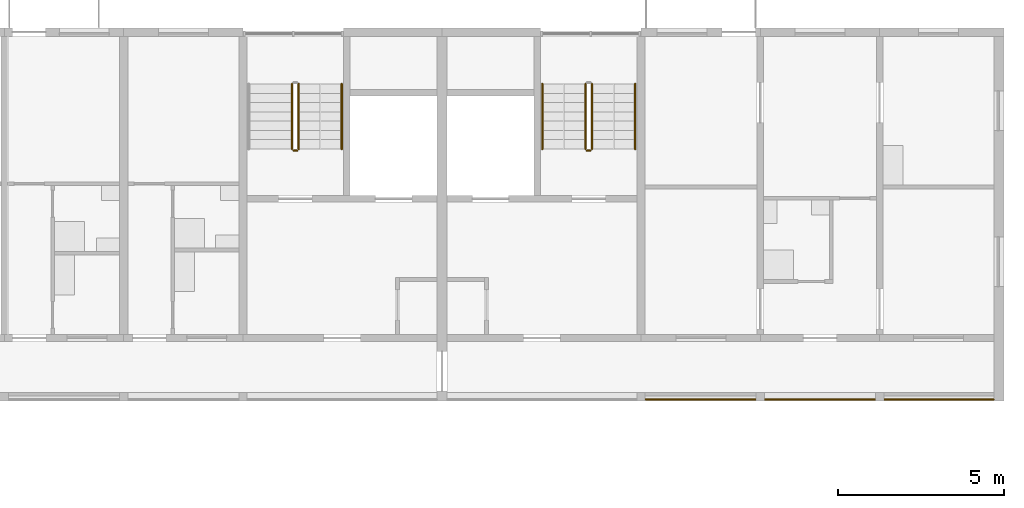
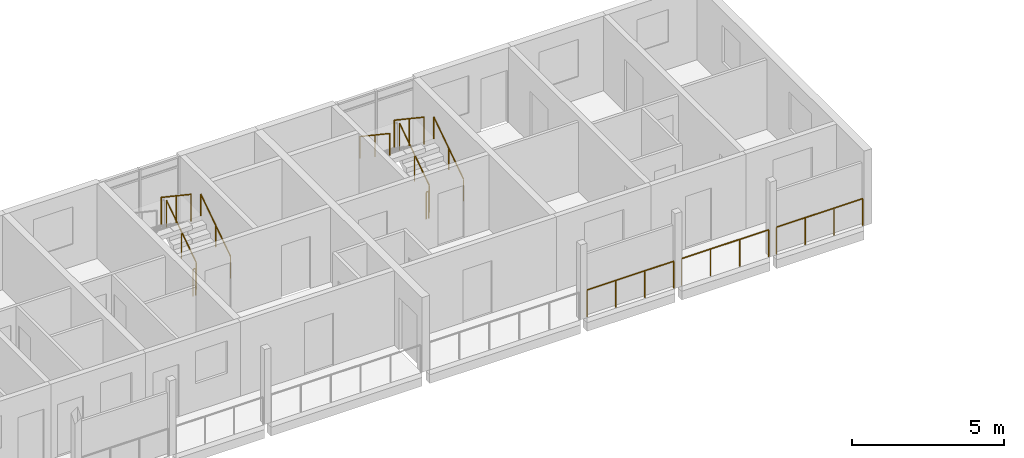
# One storey, part 94 of 100: 12 railings.
"""IFC4 building model written with IfcOpenShell, lengths in metres."""

from ifc_helpers import new_model, si_unit, direction, frame, origin, origin_2d, place, context, subcontext, project, spatial, circle, extrude, material, type_object, element, save


model = new_model("IFC4")

# Units and contexts
model_context = context("Model", 3, precision=1e-05, world=origin(), true_north=direction((0.0, 1.0)))
body_context = subcontext(model_context, "Body", "Model", "MODEL_VIEW")
ifc_project = project(units=[si_unit("LENGTHUNIT", "METRE"), si_unit("AREAUNIT", "SQUARE_METRE"), si_unit("VOLUMEUNIT", "CUBIC_METRE"), si_unit("PLANEANGLEUNIT", "RADIAN"), si_unit("MASSUNIT", "GRAM", prefix="KILO")], contexts=[model_context])

# Site, building, storey
site_placement = place(None, origin())
site = spatial("IfcSite", under=ifc_project, at=site_placement, CompositionType="ELEMENT")
building_placement = place(site_placement, origin())
building = spatial("IfcBuilding", under=site, at=building_placement, Name="Ridgestep Commons", CompositionType="ELEMENT")
storey_placement = place(building_placement, frame((0.0, 0.0, 9.0)))
storey = spatial("IfcBuildingStorey", under=building, at=storey_placement, Name="L03", CompositionType="ELEMENT", Elevation=9.0)

# Railings
ifc_material_1 = material(Name="Structural steel S355JR", Category="steel")
railing_type_1 = type_object("IfcRailingType", Name="Guard 1100", PredefinedType="GUARDRAIL", material=ifc_material_1)
railing_1_placement = place(storey_placement, frame((236.946044921875, 66.050048828125, 0.0)))
element("IfcRailing", 1, at=railing_1_placement, inside=storey, type_object=railing_type_1, Name="Gallery guard C 03.22", PredefinedType="GUARDRAIL", context=body_context, shape_type="SweptSolid", body=[
    extrude(circle(Radius=0.02392578125, at=origin_2d()), frame((0.0, 0.0, 1.076171875), z_axis=(1.0, 0.0, 0.0), x_axis=(0.0, 1.0, 0.0)), (0.0, 0.0, 1.0), 3.307861328125),
    extrude(circle(Radius=0.02099609375, at=origin_2d()), origin(), (0.0, 0.0, 1.0), 1.052001953125),
    extrude(circle(Radius=0.02099609375, at=origin_2d()), frame((1.1025390625, 0.0, 0.0)), (0.0, 0.0, 1.0), 1.052001953125),
    extrude(circle(Radius=0.02099609375, at=origin_2d()), frame((2.205322265625, 0.0, 0.0)), (0.0, 0.0, 1.0), 1.052001953125),
    extrude(circle(Radius=0.02099609375, at=origin_2d()), frame((3.307861328125, 0.0, 0.0)), (0.0, 0.0, 1.0), 1.052001953125),
])
railing_2_placement = place(storey_placement, frame((240.5458984375, 66.050048828125, 0.0)))
element("IfcRailing", 2, at=railing_2_placement, inside=storey, type_object=railing_type_1, Name="Gallery guard C 03.23", PredefinedType="GUARDRAIL", context=body_context, shape_type="SweptSolid", body=[
    extrude(circle(Radius=0.02392578125, at=origin_2d()), frame((0.0, 0.0, 1.076171875), z_axis=(1.0, 0.0, 0.0), x_axis=(0.0, 1.0, 0.0)), (0.0, 0.0, 1.0), 3.30810546875),
    extrude(circle(Radius=0.02099609375, at=origin_2d()), origin(), (0.0, 0.0, 1.0), 1.052001953125),
    extrude(circle(Radius=0.02099609375, at=origin_2d()), frame((1.102783203125, 0.0, 0.0)), (0.0, 0.0, 1.0), 1.052001953125),
    extrude(circle(Radius=0.02099609375, at=origin_2d()), frame((2.205322265625, 0.0, 0.0)), (0.0, 0.0, 1.0), 1.052001953125),
    extrude(circle(Radius=0.02099609375, at=origin_2d()), frame((3.30810546875, 0.0, 0.0)), (0.0, 0.0, 1.0), 1.052001953125),
])
railing_3_placement = place(storey_placement, frame((244.14599609375, 66.050048828125, 0.0)))
element("IfcRailing", 3, at=railing_3_placement, inside=storey, type_object=railing_type_1, Name="Gallery guard C 03.24", PredefinedType="GUARDRAIL", context=body_context, shape_type="SweptSolid", body=[
    extrude(circle(Radius=0.02392578125, at=origin_2d()), frame((0.0, 0.0, 1.076171875), z_axis=(1.0, 0.0, 0.0), x_axis=(0.0, 1.0, 0.0)), (0.0, 0.0, 1.0), 3.282958984375),
    extrude(circle(Radius=0.02099609375, at=origin_2d()), origin(), (0.0, 0.0, 1.0), 1.052001953125),
    extrude(circle(Radius=0.02099609375, at=origin_2d()), frame((1.09423828125, 0.0, 0.0)), (0.0, 0.0, 1.0), 1.052001953125),
    extrude(circle(Radius=0.02099609375, at=origin_2d()), frame((2.188720703125, 0.0, 0.0)), (0.0, 0.0, 1.0), 1.052001953125),
    extrude(circle(Radius=0.02099609375, at=origin_2d()), frame((3.282958984375, 0.0, 0.0)), (0.0, 0.0, 1.0), 1.052001953125),
])
ifc_material_2 = material(Name="Structural steel S355JR", Category="steel")
railing_type_2 = type_object("IfcRailingType", Name="Stair guard 1100", PredefinedType="GUARDRAIL", material=ifc_material_2)
railing_4_placement = place(storey_placement, frame((226.47509765625, 73.60009765625, 0.1875)))
element("IfcRailing", 4, at=railing_4_placement, inside=storey, type_object=railing_type_2, Name="L03 C5C stair guard 1", PredefinedType="GUARDRAIL", context=body_context, shape_type="SweptSolid", body=[
    extrude(circle(Radius=0.02392578125, at=origin_2d()), frame((0.0, 0.0, 1.076171875), z_axis=(0.0, 0.830902050051, 0.556418712142), x_axis=(-1.0, 0.0, 0.0)), (0.0, 0.0, 1.0), 2.35888671875),
    extrude(circle(Radius=0.02099609375, at=origin_2d()), origin(), (0.0, 0.0, 1.0), 1.052001953125),
    extrude(circle(Radius=0.02099609375, at=origin_2d()), frame((0.0, 0.97998046875, 0.65625)), (0.0, 0.0, 1.0), 1.052001953125),
    extrude(circle(Radius=0.02099609375, at=origin_2d()), frame((0.0, 1.9599609375, 1.3125)), (0.0, 0.0, 1.0), 1.052001953125),
])
railing_5_placement = place(storey_placement, frame((226.27490234375, 75.56005859375, 1.6875)))
element("IfcRailing", 5, at=railing_5_placement, inside=storey, type_object=railing_type_2, Name="L03 C5C stair guard 3", PredefinedType="GUARDRAIL", context=body_context, shape_type="SweptSolid", body=[
    extrude(circle(Radius=0.02392578125, at=origin_2d()), frame((0.0, 0.0, 1.076171875), z_axis=(0.0, -0.830902050051, 0.556418712142), x_axis=(1.0, 0.0, 0.0)), (0.0, 0.0, 1.0), 2.35888671875),
    extrude(circle(Radius=0.02099609375, at=origin_2d()), origin(), (0.0, 0.0, 1.0), 1.052001953125),
    extrude(circle(Radius=0.02099609375, at=origin_2d()), frame((0.0, -0.97998046875, 0.65625)), (0.0, 0.0, 1.0), 1.052001953125),
    extrude(circle(Radius=0.02099609375, at=origin_2d()), frame((0.0, -1.9599609375, 1.3125)), (0.0, 0.0, 1.0), 1.052001953125),
])
railing_6_placement = place(storey_placement, frame((226.425048828125, 73.550048828125, 0.0)))
element("IfcRailing", 6, at=railing_6_placement, inside=storey, type_object=railing_type_2, Name="L03 C5C stair guard 4", PredefinedType="GUARDRAIL", context=body_context, shape_type="SweptSolid", body=[
    extrude(circle(Radius=0.02392578125, at=origin_2d()), frame((0.0, 0.0, 1.076171875), z_axis=(-1.0, 0.0, 0.0), x_axis=(0.0, -1.0, 0.0)), (0.0, 0.0, 1.0), 0.10009765625),
    extrude(circle(Radius=0.02099609375, at=origin_2d()), origin(), (0.0, 0.0, 1.0), 1.052001953125),
    extrude(circle(Radius=0.02099609375, at=origin_2d()), frame((-0.10009765625, 0.0, 0.0)), (0.0, 0.0, 1.0), 1.052001953125),
])
railing_7_placement = place(storey_placement, frame((235.324951171875, 73.60009765625, 0.1875)))
element("IfcRailing", 7, at=railing_7_placement, inside=storey, type_object=railing_type_2, Name="L03 C6C stair guard 1", PredefinedType="GUARDRAIL", context=body_context, shape_type="SweptSolid", body=[
    extrude(circle(Radius=0.02392578125, at=origin_2d()), frame((0.0, 0.0, 1.076171875), z_axis=(0.0, 0.830902050051, 0.556418712142), x_axis=(-1.0, 0.0, 0.0)), (0.0, 0.0, 1.0), 2.35888671875),
    extrude(circle(Radius=0.02099609375, at=origin_2d()), origin(), (0.0, 0.0, 1.0), 1.052001953125),
    extrude(circle(Radius=0.02099609375, at=origin_2d()), frame((0.0, 0.97998046875, 0.65625)), (0.0, 0.0, 1.0), 1.052001953125),
    extrude(circle(Radius=0.02099609375, at=origin_2d()), frame((0.0, 1.9599609375, 1.3125)), (0.0, 0.0, 1.0), 1.052001953125),
])
railing_8_placement = place(storey_placement, frame((235.125, 75.56005859375, 1.6875)))
element("IfcRailing", 8, at=railing_8_placement, inside=storey, type_object=railing_type_2, Name="L03 C6C stair guard 3", PredefinedType="GUARDRAIL", context=body_context, shape_type="SweptSolid", body=[
    extrude(circle(Radius=0.02392578125, at=origin_2d()), frame((0.0, 0.0, 1.076171875), z_axis=(0.0, -0.830902050051, 0.556418712142), x_axis=(1.0, 0.0, 0.0)), (0.0, 0.0, 1.0), 2.35888671875),
    extrude(circle(Radius=0.02099609375, at=origin_2d()), origin(), (0.0, 0.0, 1.0), 1.052001953125),
    extrude(circle(Radius=0.02099609375, at=origin_2d()), frame((0.0, -0.97998046875, 0.65625)), (0.0, 0.0, 1.0), 1.052001953125),
    extrude(circle(Radius=0.02099609375, at=origin_2d()), frame((0.0, -1.9599609375, 1.3125)), (0.0, 0.0, 1.0), 1.052001953125),
])
railing_9_placement = place(storey_placement, frame((235.27490234375, 73.550048828125, 0.0)))
element("IfcRailing", 9, at=railing_9_placement, inside=storey, type_object=railing_type_2, Name="L03 C6C stair guard 4", PredefinedType="GUARDRAIL", context=body_context, shape_type="SweptSolid", body=[
    extrude(circle(Radius=0.02392578125, at=origin_2d()), frame((0.0, 0.0, 1.076171875), z_axis=(-1.0, 0.0, 0.0), x_axis=(0.0, -1.0, 0.0)), (0.0, 0.0, 1.0), 0.099853515625),
    extrude(circle(Radius=0.02099609375, at=origin_2d()), origin(), (0.0, 0.0, 1.0), 1.052001953125),
    extrude(circle(Radius=0.02099609375, at=origin_2d()), frame((-0.099853515625, 0.0, 0.0)), (0.0, 0.0, 1.0), 1.052001953125),
])
ifc_material_3 = material(Name="Structural steel S355JR", Category="steel")
railing_type_3 = type_object("IfcRailingType", Name="Stair handrail 900", PredefinedType="HANDRAIL", material=ifc_material_3)
for number, where, name in (
    (10, (227.77490234375, 73.60009765625, 0.1875), "L03 C5C stair handrail 1"),
    (11, (236.625, 73.60009765625, 0.1875), "L03 C6C stair handrail 1"),
):
    element("IfcRailing", number, at=place(storey_placement, frame(where)), inside=storey, type_object=railing_type_3, Name=name, PredefinedType="HANDRAIL", context=body_context, shape_type="SweptSolid", body=[
        extrude(circle(Radius=0.02392578125, at=origin_2d()), frame((0.0, 0.0, 0.8759765625), z_axis=(0.0, 0.830902050051, 0.556418712142), x_axis=(-1.0, 0.0, 0.0)), (0.0, 0.0, 1.0), 2.35888671875),
        extrude(circle(Radius=0.02099609375, at=origin_2d()), origin(), (0.0, 0.0, 1.0), 0.851806640625),
        extrude(circle(Radius=0.02099609375, at=origin_2d()), frame((0.0, 0.97998046875, 0.65625)), (0.0, 0.0, 1.0), 0.851806640625),
        extrude(circle(Radius=0.02099609375, at=origin_2d()), frame((0.0, 1.9599609375, 1.3125)), (0.0, 0.0, 1.0), 0.851806640625),
    ])
railing_10_placement = place(storey_placement, frame((233.824951171875, 75.56005859375, 1.6875)))
element("IfcRailing", 12, at=railing_10_placement, inside=storey, type_object=railing_type_3, Name="L03 C6C stair handrail 2", PredefinedType="HANDRAIL", context=body_context, shape_type="SweptSolid", body=[
    extrude(circle(Radius=0.02392578125, at=origin_2d()), frame((0.0, 0.0, 0.8759765625), z_axis=(0.0, -0.830902050051, 0.556418712142), x_axis=(1.0, 0.0, 0.0)), (0.0, 0.0, 1.0), 2.35888671875),
    extrude(circle(Radius=0.02099609375, at=origin_2d()), origin(), (0.0, 0.0, 1.0), 0.851806640625),
    extrude(circle(Radius=0.02099609375, at=origin_2d()), frame((0.0, -0.97998046875, 0.65625)), (0.0, 0.0, 1.0), 0.851806640625),
    extrude(circle(Radius=0.02099609375, at=origin_2d()), frame((0.0, -1.9599609375, 1.3125)), (0.0, 0.0, 1.0), 0.851806640625),
])

save(model, "model.ifc")
